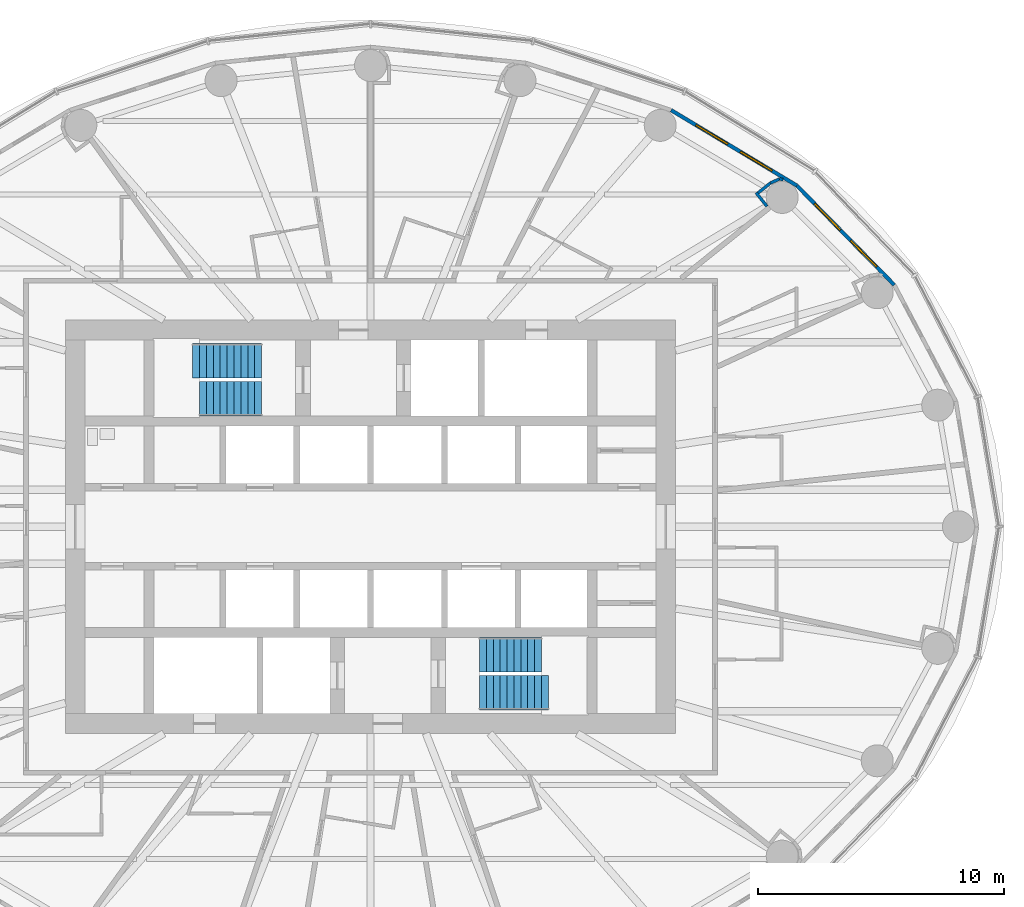
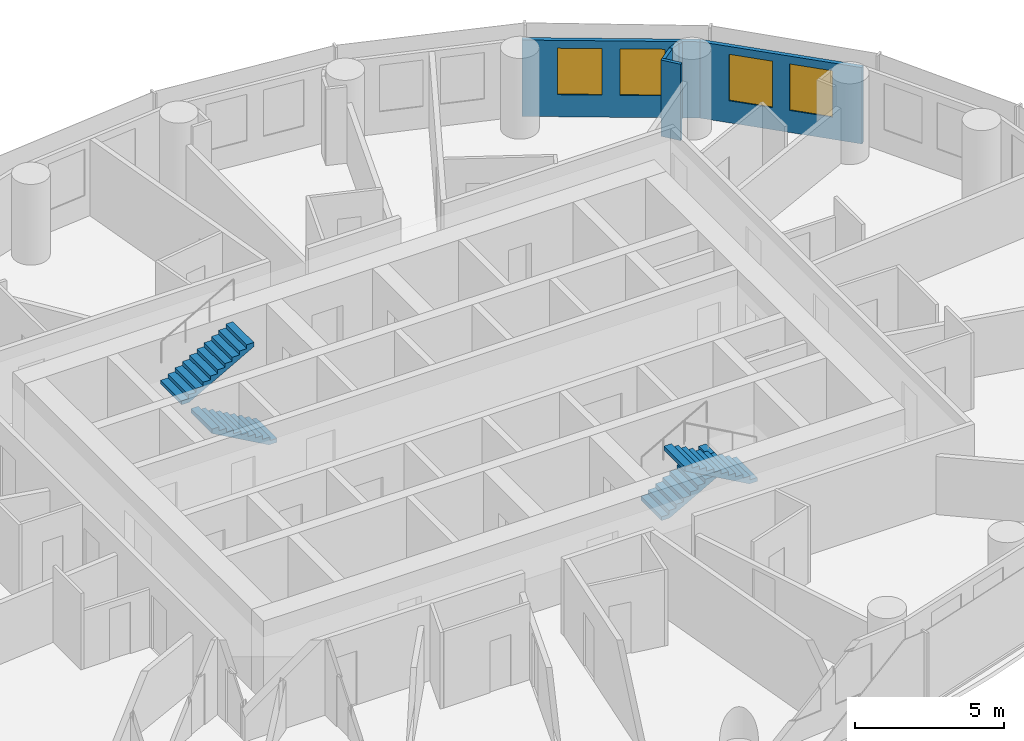
# One storey, part 12 of 14: 6 walls, 4 stair flights, 4 windows, 4 openings, 2 elements without a shape of their own.
"""IFC4 building model written with IfcOpenShell, lengths in metres."""

from ifc_helpers import new_model, si_unit, direction, frame, frame_2d, origin, place, context, subcontext, project, spatial, polyline, rectangle, outline, extrude, material, layer, layer_set, type_object, element, fill, aggregate, save


model = new_model("IFC4")

# Units and contexts
model_context = context("Model", 3, precision=1e-05, world=origin(), true_north=direction((0.0, 1.0)))
body_context = subcontext(model_context, "Body", "Model", "MODEL_VIEW")
ifc_project = project(units=[si_unit("LENGTHUNIT", "METRE"), si_unit("AREAUNIT", "SQUARE_METRE"), si_unit("VOLUMEUNIT", "CUBIC_METRE"), si_unit("PLANEANGLEUNIT", "RADIAN"), si_unit("MASSUNIT", "GRAM", prefix="KILO")], contexts=[model_context])

# Site, building, storey
site_placement = place(None, origin())
site = spatial("IfcSite", under=ifc_project, at=site_placement, CompositionType="ELEMENT")
building_placement = place(site_placement, origin())
building = spatial("IfcBuilding", under=site, at=building_placement, Name="Hankou Lantern Tower", CompositionType="ELEMENT")
storey_placement = place(building_placement, frame((0.0, 0.0, 112.199951171875)))
storey = spatial("IfcBuildingStorey", under=building, at=storey_placement, Name="L28", CompositionType="ELEMENT", Elevation=112.199951171875)

# Wall, openings, windows
ifc_material_1 = material(Name="Aluminium spandrel panel on steel studs", Category="steel")
ifc_layer_1 = layer(ifc_material_1, 0.14990234375)
ifc_layer_set_1 = layer_set([ifc_layer_1], Name="Aluminium spandrel panel on steel studs")
wall_type_1 = type_object("IfcWallType", Name="EW1 INNER SKIN WALL 150", PredefinedType="ELEMENTEDWALL", material=ifc_layer_set_1)
wall_1_placement = place(storey_placement, frame((21.287353515625, 9.83203125, 0.0), z_axis=(0.0, 0.0, 1.0), x_axis=(-0.700136650834, 0.714008872605, 0.0)))
wall_1 = element("IfcWall", 1, at=wall_1_placement, inside=storey, type_object=wall_type_1, Name="Inner skin R03-R04 L28", PredefinedType="ELEMENTEDWALL", context=body_context, shape_type="SweptSolid", body=[
    extrude(rectangle(XDim=5.6494140625, YDim=0.14990234375, at=frame_2d((2.82470703125, 0.0))), origin(), (0.0, 0.0, 1.0), 3.1201171875),
])
opening_1_placement = place(wall_1_placement, frame((1.024658203125, 0.0, 0.89990234375)))
opening_1 = element("IfcOpeningElement", 2, at=opening_1_placement, cuts=wall_1, Name="Opening W2", PredefinedType="OPENING", context=body_context, shape_type="SweptSolid", body=[
    extrude(rectangle(XDim=1.5, YDim=1.89990234375, at=frame_2d((0.75, 0.949951171875))), frame((0.0, 0.0849609375, 0.0), z_axis=(0.0, -1.0, 0.0), x_axis=(1.0, 0.0, 0.0)), (0.0, 0.0, 1.0), 0.169921875),
])
opening_2_placement = place(wall_1_placement, frame((3.12451171875, 0.0, 0.89990234375)))
opening_2 = element("IfcOpeningElement", 3, at=opening_2_placement, cuts=wall_1, Name="Opening W2", PredefinedType="OPENING", context=body_context, shape_type="SweptSolid", body=[
    extrude(rectangle(XDim=1.5, YDim=1.89990234375, at=frame_2d((0.75, 0.949951171875))), frame((0.0, 0.0849609375, 0.0), z_axis=(0.0, -1.0, 0.0), x_axis=(1.0, 0.0, 0.0)), (0.0, 0.0, 1.0), 0.169921875),
])
ifc_material_2 = material(Name="Aluminium framed double glazed window", Category="aluminium")
window_type = type_object("IfcWindowType", Name="W2 GUEST ROOM WINDOW 1500X1900", PartitioningType="DOUBLE_PANEL_VERTICAL", PredefinedType="WINDOW", material=ifc_material_2)
window_1_placement = place(opening_1_placement, origin())
window_1 = element("IfcWindow", 4, at=window_1_placement, inside=storey, type_object=window_type, Name="Window R03.1 L28", OverallHeight=1.89990234375, OverallWidth=1.5, PartitioningType="SINGLE_PANEL", PredefinedType="WINDOW", context=body_context, shape_type="SweptSolid", body=[
    extrude(rectangle(XDim=1.5, YDim=1.89990234375, at=frame_2d((0.75, 0.949951171875))), frame((0.0, 0.030029296875, 0.0), z_axis=(0.0, -1.0, 0.0), x_axis=(1.0, 0.0, 0.0)), (0.0, 0.0, 1.0), 0.06005859375),
])
fill(opening_1, window_1)
window_2_placement = place(opening_2_placement, origin())
window_2 = element("IfcWindow", 5, at=window_2_placement, inside=storey, type_object=window_type, Name="Window R03.2 L28", OverallHeight=1.89990234375, OverallWidth=1.5, PartitioningType="SINGLE_PANEL", PredefinedType="WINDOW", context=body_context, shape_type="SweptSolid", body=[
    extrude(rectangle(XDim=1.5, YDim=1.89990234375, at=frame_2d((0.75, 0.949951171875))), frame((0.0, 0.030029296875, 0.0), z_axis=(0.0, -1.0, 0.0), x_axis=(1.0, 0.0, 0.0)), (0.0, 0.0, 1.0), 0.06005859375),
])
fill(opening_2, window_2)

wall_2_placement = place(storey_placement, frame((17.33203125, 13.86572265625, 0.0), z_axis=(0.0, 0.0, 1.0), x_axis=(-0.857308573723, 0.514802884044, 0.0)))
wall_2 = element("IfcWall", 6, at=wall_2_placement, inside=storey, type_object=wall_type_1, Name="Inner skin R04-R05 L28", PredefinedType="ELEMENTEDWALL", context=body_context, shape_type="SweptSolid", body=[
    extrude(rectangle(XDim=5.961181640625, YDim=0.14990234375, at=frame_2d((2.98046875, 0.0))), origin(), (0.0, 0.0, 1.0), 3.1201171875),
])
opening_3_placement = place(wall_2_placement, frame((1.1806640625, 0.0, 0.89990234375)))
opening_3 = element("IfcOpeningElement", 7, at=opening_3_placement, cuts=wall_2, Name="Opening W2", PredefinedType="OPENING", context=body_context, shape_type="SweptSolid", body=[
    extrude(rectangle(XDim=1.5, YDim=1.89990234375, at=frame_2d((0.75, 0.949951171875))), frame((0.0, 0.0849609375, 0.0), z_axis=(0.0, -1.0, 0.0), x_axis=(1.0, 0.0, 0.0)), (0.0, 0.0, 1.0), 0.169921875),
])
opening_4_placement = place(wall_2_placement, frame((3.280517578125, 0.0, 0.89990234375)))
opening_4 = element("IfcOpeningElement", 8, at=opening_4_placement, cuts=wall_2, Name="Opening W2", PredefinedType="OPENING", context=body_context, shape_type="SweptSolid", body=[
    extrude(rectangle(XDim=1.5, YDim=1.89990234375, at=frame_2d((0.75, 0.949951171875))), frame((0.0, 0.0849609375, 0.0), z_axis=(0.0, -1.0, 0.0), x_axis=(1.0, 0.0, 0.0)), (0.0, 0.0, 1.0), 0.169921875),
])
window_3_placement = place(opening_3_placement, origin())
window_3 = element("IfcWindow", 9, at=window_3_placement, inside=storey, type_object=window_type, Name="Window R04.1 L28", OverallHeight=1.89990234375, OverallWidth=1.5, PartitioningType="SINGLE_PANEL", PredefinedType="WINDOW", context=body_context, shape_type="SweptSolid", body=[
    extrude(rectangle(XDim=1.5, YDim=1.89990234375, at=frame_2d((0.75, 0.949951171875))), frame((0.0, 0.030029296875, 0.0), z_axis=(0.0, -1.0, 0.0), x_axis=(1.0, 0.0, 0.0)), (0.0, 0.0, 1.0), 0.06005859375),
])
fill(opening_3, window_3)
window_4_placement = place(opening_4_placement, origin())
window_4 = element("IfcWindow", 10, at=window_4_placement, inside=storey, type_object=window_type, Name="Window R04.2 L28", OverallHeight=1.89990234375, OverallWidth=1.5, PartitioningType="SINGLE_PANEL", PredefinedType="WINDOW", context=body_context, shape_type="SweptSolid", body=[
    extrude(rectangle(XDim=1.5, YDim=1.89990234375, at=frame_2d((0.75, 0.949951171875))), frame((0.0, 0.030029296875, 0.0), z_axis=(0.0, -1.0, 0.0), x_axis=(1.0, 0.0, 0.0)), (0.0, 0.0, 1.0), 0.06005859375),
])
fill(opening_4, window_4)

# Walls
ifc_material_3 = material(Name="Masonry lightweight concrete block", Category="masonry")
ifc_layer_2 = layer(ifc_material_3, 0.1201171875)
ifc_layer_set_2 = layer_set([ifc_layer_2], Name="Masonry lightweight concrete block")
wall_type_2 = type_object("IfcWallType", Name="IW4 PARTITION 120", PredefinedType="PARTITIONING", material=ifc_layer_set_2)
wall_3_placement = place(storey_placement, frame((16.116943359375, 13.021728515625, 0.0), z_axis=(0.0, 0.0, 1.0), x_axis=(-0.62465344249, 0.780902091677, 0.0)))
element("IfcWall", 11, at=wall_3_placement, inside=storey, type_object=wall_type_2, Name="Column casing R04 return", PredefinedType="PARTITIONING", context=body_context, shape_type="SweptSolid", body=[
    extrude(rectangle(XDim=0.715576171875, YDim=0.1201171875, at=frame_2d((0.35791015625, 0.0))), origin(), (0.0, 0.0, 1.0), 3.1201171875),
])
wall_4_placement = place(storey_placement, frame((15.754150390625, 13.5712890625, 0.0), z_axis=(0.0, 0.0, 1.0), x_axis=(0.780905453553, 0.624649239663, 0.0)))
element("IfcWall", 12, at=wall_4_placement, inside=storey, type_object=wall_type_2, Name="Column casing R04", PredefinedType="PARTITIONING", context=body_context, shape_type="SweptSolid", body=[
    extrude(rectangle(XDim=0.64990234375, YDim=0.1201171875, at=frame_2d((0.324951171875, 0.0))), origin(), (0.0, 0.0, 1.0), 3.1201171875),
])
wall_5_placement = place(storey_placement, frame((16.26171875, 13.977294921875, 0.0), z_axis=(0.0, 0.0, 1.0), x_axis=(0.915985403703, 0.401211590314, 0.0)))
element("IfcWall", 13, at=wall_5_placement, inside=storey, type_object=wall_type_2, Name="Column casing R04", PredefinedType="PARTITIONING", context=body_context, shape_type="SweptSolid", body=[
    extrude(rectangle(XDim=0.391357421875, YDim=0.1201171875, at=frame_2d((0.19580078125, 0.0))), origin(), (0.0, 0.0, 1.0), 3.1201171875),
])
wall_6_placement = place(storey_placement, frame((16.6201171875, 14.13427734375, 0.0), z_axis=(0.0, 0.0, 1.0), x_axis=(0.993941871493, -0.109907033867, 0.0)))
element("IfcWall", 14, at=wall_6_placement, inside=storey, type_object=wall_type_2, Name="Column casing R04", PredefinedType="PARTITIONING", context=body_context, shape_type="SweptSolid", body=[
    extrude(rectangle(XDim=0.1533203125, YDim=0.1201171875, at=frame_2d((0.07666015625, 0.0))), origin(), (0.0, 0.0, 1.0), 3.1201171875),
])

# Stair, stair flight
ifc_material_4 = material(Name="Concrete C40", Category="concrete")
stair_type = type_object("IfcStairType", Name="ST33 CORE STAIR 3300 RISE", PredefinedType="HALF_TURN_STAIR", material=ifc_material_4)
stair_1_placement = place(storey_placement, origin())
stair_1 = element("IfcStair", 15, at=stair_1_placement, inside=storey, type_object=stair_type, Name="Stair STA L28", PredefinedType="HALF_TURN_STAIR")
ifc_material_5 = material(Name="Concrete C40", Category="concrete")
stair_flight_type_1 = type_object("IfcStairFlightType", Name="CF10 CORE STAIR FLIGHT 1400 X 10 RISERS", PredefinedType="STRAIGHT", material=ifc_material_5)
stair_flight_1_placement = place(storey_placement, frame((-4.429931640625, 5.199951171875, 0.0), z_axis=(0.0, 0.0, 1.0), x_axis=(-1.0, 0.0, 0.0)))
stair_flight_1 = element("IfcStairFlight", 16, at=stair_flight_1_placement, type_object=stair_flight_type_1, Name="STA flight 1", NumberOfRisers=10, NumberOfTreads=9, PredefinedType="STRAIGHT", RiserHeight=0.157142857, TreadLength=0.28, context=body_context, shape_type="SweptSolid", body=[
    extrude(outline(polyline([(0.0, 0.0), (0.0, 0.1572265625), (0.280029296875, 0.1572265625), (0.280029296875, 0.314208984375), (0.56005859375, 0.314208984375), (0.56005859375, 0.471435546875), (0.840087890625, 0.471435546875), (0.840087890625, 0.628662109375), (1.1201171875, 0.628662109375), (1.1201171875, 0.78564453125), (1.39990234375, 0.78564453125), (1.39990234375, 0.94287109375), (1.679931640625, 0.94287109375), (1.679931640625, 1.10009765625), (1.9599609375, 1.10009765625), (1.9599609375, 1.257080078125), (2.239990234375, 1.257080078125), (2.239990234375, 1.414306640625), (2.52001953125, 1.414306640625), (2.52001953125, 1.571533203125), (2.52001953125, 1.242431640625), (0.306396484375, 0.0), (0.0, 0.0)])), frame((0.0, 0.699951171875, 0.0), z_axis=(0.0, -1.0, 0.0), x_axis=(1.0, 0.0, 0.0)), (0.0, 0.0, 1.0), 1.39990234375),
])

stair_2_placement = place(storey_placement, origin())
stair_2 = element("IfcStair", 17, at=stair_2_placement, inside=storey, type_object=stair_type, Name="Stair STB L28", PredefinedType="HALF_TURN_STAIR")
stair_flight_2_placement = place(storey_placement, frame((4.429931640625, -5.199951171875, 0.0), z_axis=(0.0, 0.0, 1.0), x_axis=(1.0, 0.0, 0.0)))
stair_flight_2 = element("IfcStairFlight", 18, at=stair_flight_2_placement, type_object=stair_flight_type_1, Name="STB flight 1", NumberOfRisers=10, NumberOfTreads=9, PredefinedType="STRAIGHT", RiserHeight=0.157142857, TreadLength=0.28, context=body_context, shape_type="SweptSolid", body=[
    extrude(outline(polyline([(0.0, 0.0), (0.0, 0.1572265625), (0.280029296875, 0.1572265625), (0.280029296875, 0.314208984375), (0.56005859375, 0.314208984375), (0.56005859375, 0.471435546875), (0.840087890625, 0.471435546875), (0.840087890625, 0.628662109375), (1.1201171875, 0.628662109375), (1.1201171875, 0.78564453125), (1.39990234375, 0.78564453125), (1.39990234375, 0.94287109375), (1.679931640625, 0.94287109375), (1.679931640625, 1.10009765625), (1.9599609375, 1.10009765625), (1.9599609375, 1.257080078125), (2.239990234375, 1.257080078125), (2.239990234375, 1.414306640625), (2.52001953125, 1.414306640625), (2.52001953125, 1.571533203125), (2.52001953125, 1.242431640625), (0.306396484375, 0.0), (0.0, 0.0)])), frame((0.0, 0.699951171875, 0.0), z_axis=(0.0, -1.0, 0.0), x_axis=(1.0, 0.0, 0.0)), (0.0, 0.0, 1.0), 1.39990234375),
])

# Stair flight
ifc_material_6 = material(Name="Concrete C40", Category="concrete")
stair_flight_type_2 = type_object("IfcStairFlightType", Name="CF11 CORE STAIR FLIGHT 1400 X 11 RISERS", PredefinedType="STRAIGHT", material=ifc_material_6)
stair_flight_3_placement = place(storey_placement, frame((-7.22998046875, 6.75, 1.571533203125), z_axis=(0.0, 0.0, 1.0), x_axis=(1.0, 0.0, 0.0)))
stair_flight_3 = element("IfcStairFlight", 19, at=stair_flight_3_placement, type_object=stair_flight_type_2, Name="STA flight 2", NumberOfRisers=11, NumberOfTreads=10, PredefinedType="STRAIGHT", RiserHeight=0.157142857, TreadLength=0.28, context=body_context, shape_type="SweptSolid", body=[
    extrude(outline(polyline([(0.0, 0.0), (0.0, 0.1572265625), (0.280029296875, 0.1572265625), (0.280029296875, 0.314208984375), (0.56005859375, 0.314208984375), (0.56005859375, 0.471435546875), (0.840087890625, 0.471435546875), (0.840087890625, 0.628662109375), (1.1201171875, 0.628662109375), (1.1201171875, 0.78564453125), (1.39990234375, 0.78564453125), (1.39990234375, 0.94287109375), (1.679931640625, 0.94287109375), (1.679931640625, 1.10009765625), (1.9599609375, 1.10009765625), (1.9599609375, 1.257080078125), (2.239990234375, 1.257080078125), (2.239990234375, 1.414306640625), (2.52001953125, 1.414306640625), (2.52001953125, 1.571533203125), (2.800048828125, 1.571533203125), (2.800048828125, 1.728515625), (2.800048828125, 1.3994140625), (0.306396484375, 0.0), (0.0, 0.0)])), frame((0.0, 0.699951171875, 0.0), z_axis=(0.0, -1.0, 0.0), x_axis=(1.0, 0.0, 0.0)), (0.0, 0.0, 1.0), 1.39990234375),
])

aggregate(stair_1, [stair_flight_1, stair_flight_3])

stair_flight_4_placement = place(storey_placement, frame((7.22998046875, -6.75, 1.571533203125), z_axis=(0.0, 0.0, 1.0), x_axis=(-1.0, 0.0, 0.0)))
stair_flight_4 = element("IfcStairFlight", 20, at=stair_flight_4_placement, type_object=stair_flight_type_2, Name="STB flight 2", NumberOfRisers=11, NumberOfTreads=10, PredefinedType="STRAIGHT", RiserHeight=0.157142857, TreadLength=0.28, context=body_context, shape_type="SweptSolid", body=[
    extrude(outline(polyline([(0.0, 0.0), (0.0, 0.1572265625), (0.280029296875, 0.1572265625), (0.280029296875, 0.314208984375), (0.56005859375, 0.314208984375), (0.56005859375, 0.471435546875), (0.840087890625, 0.471435546875), (0.840087890625, 0.628662109375), (1.1201171875, 0.628662109375), (1.1201171875, 0.78564453125), (1.39990234375, 0.78564453125), (1.39990234375, 0.94287109375), (1.679931640625, 0.94287109375), (1.679931640625, 1.10009765625), (1.9599609375, 1.10009765625), (1.9599609375, 1.257080078125), (2.239990234375, 1.257080078125), (2.239990234375, 1.414306640625), (2.52001953125, 1.414306640625), (2.52001953125, 1.571533203125), (2.800048828125, 1.571533203125), (2.800048828125, 1.728515625), (2.800048828125, 1.3994140625), (0.306396484375, 0.0), (0.0, 0.0)])), frame((0.0, 0.699951171875, 0.0), z_axis=(0.0, -1.0, 0.0), x_axis=(1.0, 0.0, 0.0)), (0.0, 0.0, 1.0), 1.39990234375),
])

aggregate(stair_2, [stair_flight_2, stair_flight_4])

save(model, "model.ifc")
